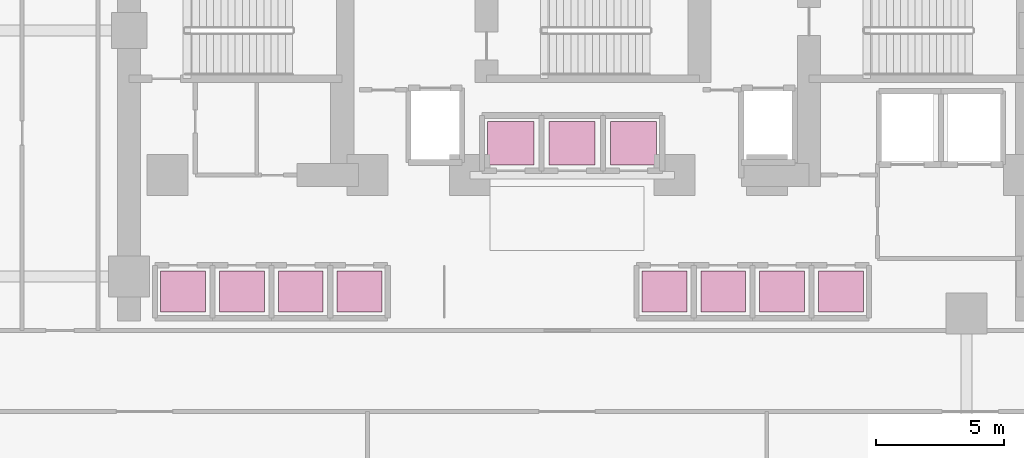
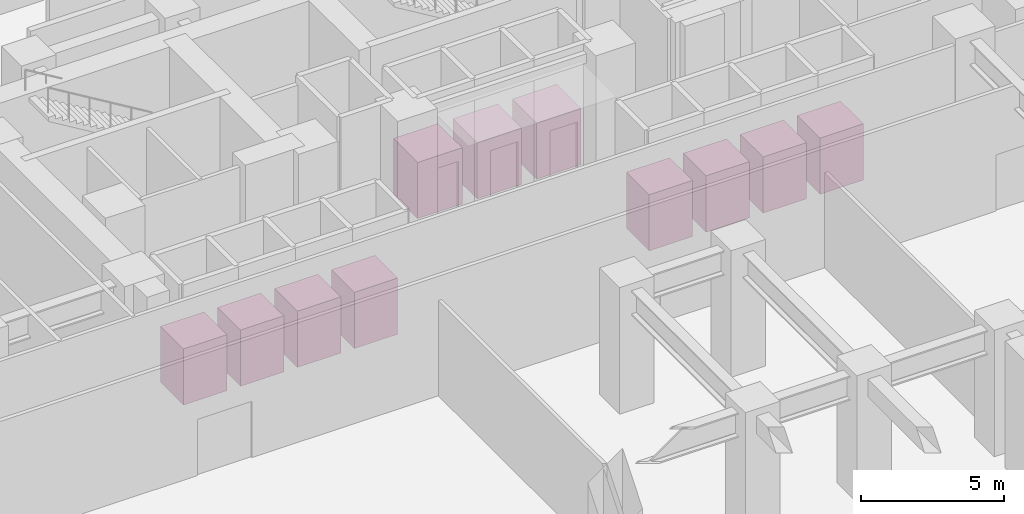
# One storey, part 17 of 17: 11 transport elements.
"""IFC4 building model written with IfcOpenShell, lengths in metres."""

from ifc_helpers import new_model, si_unit, direction, frame, origin, origin_2d, place, context, subcontext, project, spatial, rectangle, extrude, material, type_object, element, save


model = new_model("IFC4")

# Units and contexts
model_context = context("Model", 3, precision=1e-05, world=origin(), true_north=direction((0.0, 1.0)))
body_context = subcontext(model_context, "Body", "Model", "MODEL_VIEW")
ifc_project = project(units=[si_unit("LENGTHUNIT", "METRE"), si_unit("AREAUNIT", "SQUARE_METRE"), si_unit("VOLUMEUNIT", "CUBIC_METRE"), si_unit("PLANEANGLEUNIT", "RADIAN"), si_unit("MASSUNIT", "GRAM", prefix="KILO")], contexts=[model_context])

# Site, building, storey
site_placement = place(None, origin())
site = spatial("IfcSite", under=ifc_project, at=site_placement, CompositionType="ELEMENT")
building_placement = place(site_placement, origin())
building = spatial("IfcBuilding", under=site, at=building_placement, Name="Kestravale Grand Hotel", CompositionType="ELEMENT")
storey_placement = place(building_placement, origin())
storey = spatial("IfcBuildingStorey", under=building, at=storey_placement, Name="L00", CompositionType="ELEMENT", Elevation=0.0)

# Transport elements
ifc_material_1 = material(Name="Stainless steel and champagne-bronze elevator cab", Category="steel")
transport_element_type_1 = type_object("IfcTransportElementType", Name="LFT-PAX-EXP", PredefinedType="ELEVATOR", material=ifc_material_1)
for number, where, z_axis, x_axis, name in (
    (1, (36.800048828125, 34.0, 0.0), (0.0, 0.0, 1.0), (1.0, 0.0, 0.0), "Elevator PL-X1"),
    (2, (39.199951171875, 34.0, 0.0), (0.0, 0.0, 1.0), (1.0, 0.0, 0.0), "Elevator PL-X2"),
    (3, (41.60009765625, 34.0, 0.0), (0.0, 0.0, 1.0), (1.0, 0.0, 0.0), "Elevator PL-X3"),
):
    element("IfcTransportElement", number, at=place(storey_placement, frame(where, z_axis=z_axis, x_axis=x_axis)), inside=storey, type_object=transport_element_type_1, Name=name, PredefinedType="ELEVATOR", context=body_context, shape_type="SweptSolid", body=[
        extrude(rectangle(XDim=1.800048828125, YDim=1.699951171875, at=origin_2d()), origin(), (0.0, 0.0, 1.0), 2.39990234375),
    ])
ifc_material_2 = material(Name="Stainless steel and champagne-bronze elevator cab", Category="steel")
transport_element_type_2 = type_object("IfcTransportElementType", Name="LFT-PAX-STD", PredefinedType="ELEVATOR", material=ifc_material_2)
for number, where, z_axis, x_axis, name in (
    (4, (24.0, 28.199951171875, 0.0), (0.0, 0.0, 1.0), (1.0, 0.0, 0.0), "Elevator PL-L1"),
    (5, (26.300048828125, 28.199951171875, 0.0), (0.0, 0.0, 1.0), (1.0, 0.0, 0.0), "Elevator PL-L2"),
    (6, (28.60009765625, 28.199951171875, 0.0), (0.0, 0.0, 1.0), (1.0, 0.0, 0.0), "Elevator PL-L3"),
    (7, (30.89990234375, 28.199951171875, 0.0), (0.0, 0.0, 1.0), (1.0, 0.0, 0.0), "Elevator PL-L4"),
    (8, (42.800048828125, 28.199951171875, 0.0), (0.0, 0.0, 1.0), (1.0, 0.0, 0.0), "Elevator PL-M1"),
    (9, (45.10009765625, 28.199951171875, 0.0), (0.0, 0.0, 1.0), (1.0, 0.0, 0.0), "Elevator PL-M2"),
    (10, (47.39990234375, 28.199951171875, 0.0), (0.0, 0.0, 1.0), (1.0, 0.0, 0.0), "Elevator PL-M3"),
    (11, (49.699951171875, 28.199951171875, 0.0), (0.0, 0.0, 1.0), (1.0, 0.0, 0.0), "Elevator PL-M4"),
):
    element("IfcTransportElement", number, at=place(storey_placement, frame(where, z_axis=z_axis, x_axis=x_axis)), inside=storey, type_object=transport_element_type_2, Name=name, PredefinedType="ELEVATOR", context=body_context, shape_type="SweptSolid", body=[
        extrude(rectangle(XDim=1.75, YDim=1.60009765625, at=origin_2d()), origin(), (0.0, 0.0, 1.0), 2.39990234375),
    ])

save(model, "model.ifc")
